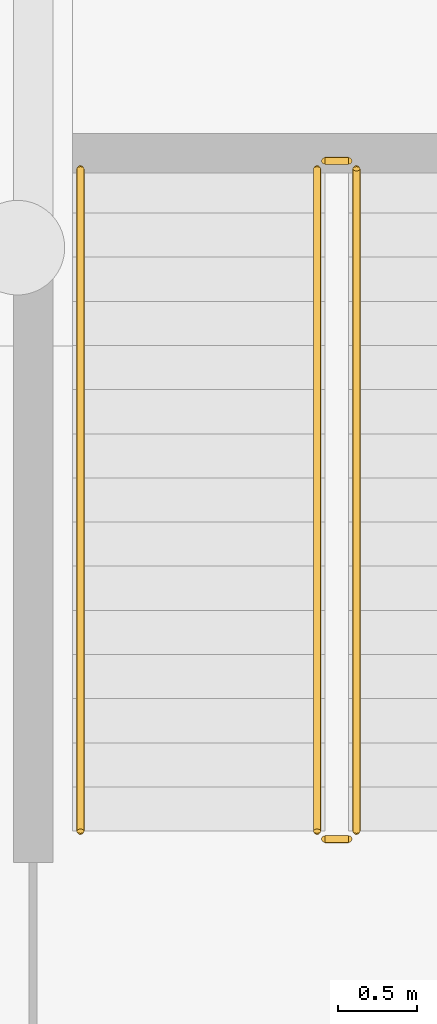
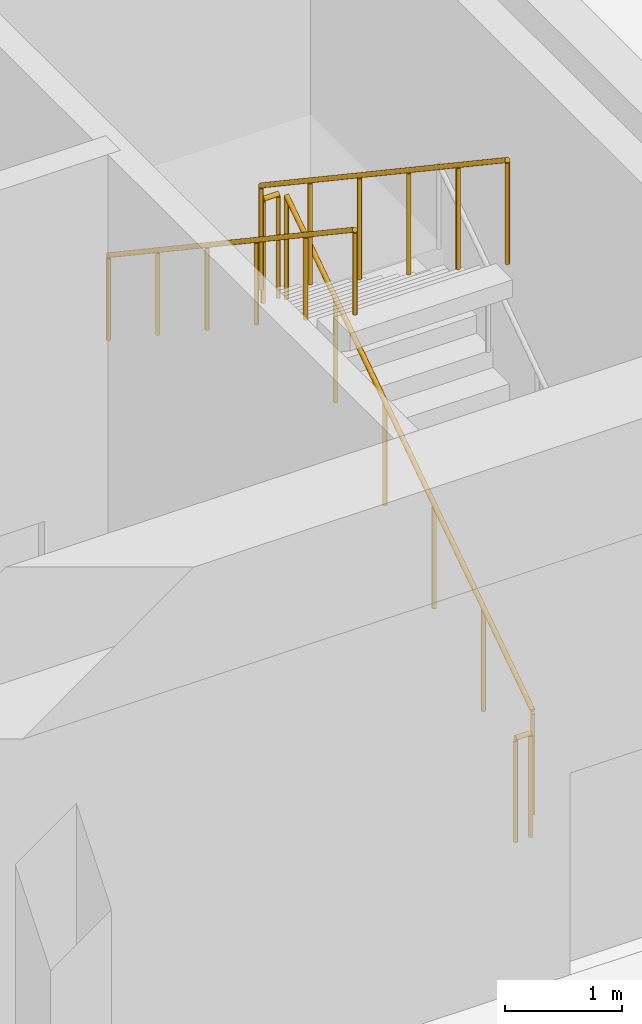
# One storey, part 178 of 210: 5 railings.
"""IFC4 building model written with IfcOpenShell, lengths in metres."""

import ifcopenshell
import ifcopenshell.guid

model = None  # the IFC model being written
_history = None  # IfcOwnerHistory: only IFC2X3 demands one
_inside = {}  # id of a spatial element -> (the spatial element, [elements in it])
_under = {}  # id of a project, library or spatial element -> (it, [spatial elements below it])
_declared = {}  # id of a project -> (the project, [libraries it declares])
_typed = {}  # id of a type object -> (the type object, [elements of that type])
_made_of = {}  # id of a material, layer set ... -> (it, [elements and type objects made of it])


def new_model(schema):
    """Start an empty IFC model of exactly this schema.

    Asked for "IFC4X3", IfcOpenShell would pick the latest addendum, in which some entities
    have other attributes; the version numbers below select the first issue.
    IFC2X3 requires an IfcOwnerHistory on every rooted entity: one is made here for all.
    """
    global model, _history
    if schema == "IFC4X3":
        model = ifcopenshell.file(schema_version=(4, 3, 0, 0))
    else:
        model = ifcopenshell.file(schema=schema)
    _inside.clear()
    _under.clear()
    _declared.clear()
    _typed.clear()
    _made_of.clear()
    _history = None
    if model.schema == "IFC2X3":
        org = make("IfcOrganization", Name="unknown")
        user = make(
            "IfcPersonAndOrganization",
            ThePerson=make("IfcPerson", FamilyName="unknown"),
            TheOrganization=org,
        )
        app = make(
            "IfcApplication",
            ApplicationDeveloper=org,
            Version="unknown",
            ApplicationFullName="unknown",
            ApplicationIdentifier="unknown",
        )
        _history = make(
            "IfcOwnerHistory",
            OwningUser=user,
            OwningApplication=app,
            ChangeAction="ADDED",
            CreationDate=0,
        )
    return model


def make(cls, **values):
    """One entity of the class cls with the attributes given. An attribute that is None is left unset."""
    return model.create_entity(
        cls, **{name: value for name, value in values.items() if value is not None}
    )


def rooted(cls, **values):
    """An entity with a GlobalId (a new one), such as an element, a storey or a relation."""
    return make(cls, GlobalId=ifcopenshell.guid.new(), OwnerHistory=_history, **values)


def si_unit(unit_type, name, prefix=None):
    """IfcSIUnit, for example si_unit("LENGTHUNIT", "METRE", prefix="MILLI")."""
    return make("IfcSIUnit", UnitType=unit_type, Prefix=prefix, Name=name)


def assignment(units):
    """IfcUnitAssignment: the units of a project."""
    return None if units is None else make("IfcUnitAssignment", Units=units)


def point(xyz):
    """IfcCartesianPoint."""
    return None if xyz is None else make("IfcCartesianPoint", Coordinates=xyz)


def direction(xyz):
    """IfcDirection."""
    return None if xyz is None else make("IfcDirection", DirectionRatios=xyz)


def frame(location, z_axis=None, x_axis=None):
    """IfcAxis2Placement3D, a coordinate frame: its origin and axes. An axis left out is left unset."""
    return make(
        "IfcAxis2Placement3D",
        Location=point(location),
        Axis=direction(z_axis),
        RefDirection=direction(x_axis),
    )


def frame_2d(location, x_axis=None):
    """IfcAxis2Placement2D, a coordinate frame in the plane: its origin and x axis."""
    return make(
        "IfcAxis2Placement2D", Location=point(location), RefDirection=direction(x_axis)
    )


def origin():
    """The frame at (0, 0, 0) with its axes left unset."""
    return frame((0.0, 0.0, 0.0))


def origin_2d():
    """The frame at (0, 0) in the plane with its x axis left unset."""
    return frame_2d((0.0, 0.0))


def place(relative_to, where):
    """IfcLocalPlacement: puts the frame where relative to a parent placement (None: the world)."""
    return make(
        "IfcLocalPlacement", PlacementRelTo=relative_to, RelativePlacement=where
    )


def context(
    kind, dimensions, precision=None, world=None, true_north=None, identifier=None
):
    """IfcGeometricRepresentationContext, for example the 3D "Model" context."""
    return make(
        "IfcGeometricRepresentationContext",
        ContextIdentifier=identifier,
        ContextType=kind,
        CoordinateSpaceDimension=dimensions,
        Precision=precision,
        WorldCoordinateSystem=world,
        TrueNorth=true_north,
    )


def subcontext(parent, identifier, kind, view, scale=None):
    """IfcGeometricRepresentationSubContext, for example "Body" below "Model"."""
    return make(
        "IfcGeometricRepresentationSubContext",
        ContextIdentifier=identifier,
        ContextType=kind,
        ParentContext=parent,
        TargetScale=scale,
        TargetView=view,
    )


def project(units=None, contexts=None):
    """IfcProject with its units and contexts."""
    return rooted(
        "IfcProject",
        Name="project",
        RepresentationContexts=contexts,
        UnitsInContext=assignment(units),
    )


def spatial(cls, under=None, at=None, **own):
    """A site, building, storey or space (cls), placed at a placement, below another one or the project."""
    s = rooted(cls, ObjectPlacement=at, **own)
    if under is not None:
        _under.setdefault(under.id(), (under, []))[1].append(s)
    return s


def profile(cls, at=None, kind="AREA", **sizes):
    """A parametric profile (cls). Its sizes go by their IFC names, for example OverallWidth=200.0."""
    return make(cls, ProfileType=kind, Position=at, **sizes)


def circle(**sizes):
    """IfcCircleProfileDef."""
    return profile("IfcCircleProfileDef", **sizes)


def extrude(swept, where, along, depth):
    """IfcExtrudedAreaSolid: the profile swept, set in the frame where, extruded along a direction by depth."""
    return make(
        "IfcExtrudedAreaSolid",
        SweptArea=swept,
        Position=where,
        ExtrudedDirection=direction(along),
        Depth=depth,
    )


def shape(context_of_items, identifier, shape_type, items):
    """IfcShapeRepresentation: the items that make up one representation, for example the "Body"."""
    return make(
        "IfcShapeRepresentation",
        ContextOfItems=context_of_items,
        RepresentationIdentifier=identifier,
        RepresentationType=shape_type,
        Items=items,
    )


def material(Name=None, Category=None):
    """IfcMaterial."""
    return make("IfcMaterial", Name=Name, Category=Category)


def made_of(thing, what):
    """Note that an element or type object is made of a material, layer set ...; save() writes the relation."""
    if what is not None:
        _made_of.setdefault(what.id(), (what, []))[1].append(thing)
    return thing


def type_object(cls, material=None, **own):
    """A type object (cls), such as IfcWallType, which elements share."""
    return made_of(rooted(cls, **own), material)


def element(
    cls,
    number,
    at=None,
    inside=None,
    cuts=None,
    type_object=None,
    material=None,
    context=None,
    identifier="Body",
    shape_type=None,
    held_by="IfcProductDefinitionShape",
    body=None,
    shapes=None,
    **own,
):
    """One element of the class cls, such as IfcWall. Its Tag is "e" and its number.

    at: its placement. inside: the storey or other place that contains it. cuts: it is an
    opening in that element (IfcRelVoidsElement). A single representation is given by context,
    identifier, shape_type and body (its items); several are given by shapes. held_by: the class
    of the entity that holds the representations. save() writes the other relations.
    """
    e = rooted(cls, Tag="e%d" % number, ObjectPlacement=at, **own)
    if body is not None:
        shapes = [shape(context, identifier, shape_type, body)]
    if shapes is not None:
        e.Representation = make(held_by, Representations=shapes)
    if inside is not None:
        _inside.setdefault(inside.id(), (inside, []))[1].append(e)
    if cuts is not None:
        rooted(
            "IfcRelVoidsElement", RelatingBuildingElement=cuts, RelatedOpeningElement=e
        )
    if type_object is not None:
        _typed.setdefault(type_object.id(), (type_object, []))[1].append(e)
    return made_of(e, material)


def aggregate(whole, parts):
    """IfcRelAggregates: a whole, such as a stair, and the parts it consists of."""
    return rooted("IfcRelAggregates", RelatingObject=whole, RelatedObjects=parts)


def save(model, path):
    """Write the relations noted so far, then the file.

    IfcRelAggregates (storeys below a building ...), IfcRelContainedInSpatialStructure (elements
    in a storey), IfcRelDefinesByType, IfcRelAssociatesMaterial and IfcRelDeclares: one each for
    every whole, place, type object, material and project.
    """
    for whole, parts in _under.values():
        aggregate(whole, parts)
    for where, things in _inside.values():
        rooted(
            "IfcRelContainedInSpatialStructure",
            RelatedElements=things,
            RelatingStructure=where,
        )
    for kind, things in _typed.values():
        rooted("IfcRelDefinesByType", RelatedObjects=things, RelatingType=kind)
    for what, things in _made_of.values():
        rooted("IfcRelAssociatesMaterial", RelatedObjects=things, RelatingMaterial=what)
    for by, libraries in _declared.values():
        rooted("IfcRelDeclares", RelatingContext=by, RelatedDefinitions=libraries)
    model.write(path)


model = new_model("IFC4")

# Units and contexts
model_context = context("Model", 3, precision=1e-05, world=origin(), true_north=direction((0.0, 1.0)))
body_context = subcontext(model_context, "Body", "Model", "MODEL_VIEW")
ifc_project = project(units=[si_unit("LENGTHUNIT", "METRE"), si_unit("AREAUNIT", "SQUARE_METRE"), si_unit("VOLUMEUNIT", "CUBIC_METRE"), si_unit("PLANEANGLEUNIT", "RADIAN"), si_unit("MASSUNIT", "GRAM", prefix="KILO")], contexts=[model_context])

# Site, building, storey
site_placement = place(None, origin())
site = spatial("IfcSite", under=ifc_project, at=site_placement, CompositionType="ELEMENT")
building_placement = place(site_placement, origin())
building = spatial("IfcBuilding", under=site, at=building_placement, Name="Rain Tree Exposition and Congress Centre", CompositionType="ELEMENT")
storey_placement = place(building_placement, origin())
storey = spatial("IfcBuildingStorey", under=building, at=storey_placement, Name="L00", CompositionType="ELEMENT", Elevation=0.0)

# Railings
ifc_material_1 = material(Name="Steel S355J2H", Category="steel")
railing_type_1 = type_object("IfcRailingType", Name="Stair guard 1100", PredefinedType="GUARDRAIL", material=ifc_material_1)
railing_1_placement = place(storey_placement, frame((123.949951171875, 102.60009765625, 0.1875)))
element("IfcRailing", 1, at=railing_1_placement, inside=storey, type_object=railing_type_1, Name="L00 ST-H2 stair guard 1", PredefinedType="GUARDRAIL", context=body_context, shape_type="SweptSolid", body=[
    extrude(circle(Radius=0.02392578125, at=origin_2d()), frame((0.0, 0.0, 1.076171875), z_axis=(0.0, 0.830904186295, 0.556415522067), x_axis=(-1.0, 0.0, 0.0)), (0.0, 0.0, 1.0), 5.0546875),
    extrude(circle(Radius=0.02099609375, at=origin_2d()), origin(), (0.0, 0.0, 1.0), 1.052001953125),
    extrude(circle(Radius=0.02099609375, at=origin_2d()), frame((0.0, 0.840087890625, 0.5625)), (0.0, 0.0, 1.0), 1.052001953125),
    extrude(circle(Radius=0.02099609375, at=origin_2d()), frame((0.0, 1.679931640625, 1.125)), (0.0, 0.0, 1.0), 1.052001953125),
    extrude(circle(Radius=0.02099609375, at=origin_2d()), frame((0.0, 2.52001953125, 1.6875)), (0.0, 0.0, 1.0), 1.052001953125),
    extrude(circle(Radius=0.02099609375, at=origin_2d()), frame((0.0, 3.35986328125, 2.25)), (0.0, 0.0, 1.0), 1.052001953125),
    extrude(circle(Radius=0.02099609375, at=origin_2d()), frame((0.0, 4.199951171875, 2.8125)), (0.0, 0.0, 1.0), 1.052001953125),
])
railing_2_placement = place(storey_placement, frame((123.89990234375, 106.85009765625, 3.0)))
element("IfcRailing", 2, at=railing_2_placement, inside=storey, type_object=railing_type_1, Name="L00 ST-H2 stair guard 2", PredefinedType="GUARDRAIL", context=body_context, shape_type="SweptSolid", body=[
    extrude(circle(Radius=0.02392578125, at=origin_2d()), frame((0.0, 0.0, 1.076171875), z_axis=(-1.0, 0.0, 0.0), x_axis=(0.0, -1.0, 0.0)), (0.0, 0.0, 1.0), 0.14990234375),
    extrude(circle(Radius=0.02099609375, at=origin_2d()), origin(), (0.0, 0.0, 1.0), 1.052001953125),
    extrude(circle(Radius=0.02099609375, at=origin_2d()), frame((-0.14990234375, 0.0, 0.0)), (0.0, 0.0, 1.0), 1.052001953125),
])
railing_3_placement = place(storey_placement, frame((123.699951171875, 106.800048828125, 3.1875)))
element("IfcRailing", 3, at=railing_3_placement, inside=storey, type_object=railing_type_1, Name="L00 ST-H2 stair guard 3", PredefinedType="GUARDRAIL", context=body_context, shape_type="SweptSolid", body=[
    extrude(circle(Radius=0.02392578125, at=origin_2d()), frame((0.0, 0.0, 1.076171875), z_axis=(0.0, -0.830904186295, 0.556415522067), x_axis=(1.0, 0.0, 0.0)), (0.0, 0.0, 1.0), 5.0546875),
    extrude(circle(Radius=0.02099609375, at=origin_2d()), origin(), (0.0, 0.0, 1.0), 1.052001953125),
    extrude(circle(Radius=0.02099609375, at=origin_2d()), frame((0.0, -0.840087890625, 0.5625)), (0.0, 0.0, 1.0), 1.052001953125),
    extrude(circle(Radius=0.02099609375, at=origin_2d()), frame((0.0, -1.679931640625, 1.125)), (0.0, 0.0, 1.0), 1.052001953125),
    extrude(circle(Radius=0.02099609375, at=origin_2d()), frame((0.0, -2.52001953125, 1.6875)), (0.0, 0.0, 1.0), 1.052001953125),
    extrude(circle(Radius=0.02099609375, at=origin_2d()), frame((0.0, -3.35986328125, 2.25)), (0.0, 0.0, 1.0), 1.052001953125),
    extrude(circle(Radius=0.02099609375, at=origin_2d()), frame((0.0, -4.199951171875, 2.8125)), (0.0, 0.0, 1.0), 1.052001953125),
])
railing_4_placement = place(storey_placement, frame((123.89990234375, 102.550048828125, 0.0)))
element("IfcRailing", 4, at=railing_4_placement, inside=storey, type_object=railing_type_1, Name="L00 ST-H2 stair guard 4", PredefinedType="GUARDRAIL", context=body_context, shape_type="SweptSolid", body=[
    extrude(circle(Radius=0.02392578125, at=origin_2d()), frame((0.0, 0.0, 1.076171875), z_axis=(-1.0, 0.0, 0.0), x_axis=(0.0, -1.0, 0.0)), (0.0, 0.0, 1.0), 0.14990234375),
    extrude(circle(Radius=0.02099609375, at=origin_2d()), origin(), (0.0, 0.0, 1.0), 1.052001953125),
    extrude(circle(Radius=0.02099609375, at=origin_2d()), frame((-0.14990234375, 0.0, 0.0)), (0.0, 0.0, 1.0), 1.052001953125),
])
ifc_material_2 = material(Name="Steel S355J2H", Category="steel")
railing_type_2 = type_object("IfcRailingType", Name="Stair handrail 900", PredefinedType="HANDRAIL", material=ifc_material_2)
railing_5_placement = place(storey_placement, frame((122.199951171875, 106.800048828125, 3.1875)))
element("IfcRailing", 5, at=railing_5_placement, inside=storey, type_object=railing_type_2, Name="L00 ST-H2 stair handrail 2", PredefinedType="HANDRAIL", context=body_context, shape_type="SweptSolid", body=[
    extrude(circle(Radius=0.02392578125, at=origin_2d()), frame((0.0, 0.0, 0.8759765625), z_axis=(0.0, -0.830904186295, 0.556415522067), x_axis=(1.0, 0.0, 0.0)), (0.0, 0.0, 1.0), 5.0546875),
    extrude(circle(Radius=0.02099609375, at=origin_2d()), origin(), (0.0, 0.0, 1.0), 0.851806640625),
    extrude(circle(Radius=0.02099609375, at=origin_2d()), frame((0.0, -0.840087890625, 0.5625)), (0.0, 0.0, 1.0), 0.851806640625),
    extrude(circle(Radius=0.02099609375, at=origin_2d()), frame((0.0, -1.679931640625, 1.125)), (0.0, 0.0, 1.0), 0.851806640625),
    extrude(circle(Radius=0.02099609375, at=origin_2d()), frame((0.0, -2.52001953125, 1.6875)), (0.0, 0.0, 1.0), 0.851806640625),
    extrude(circle(Radius=0.02099609375, at=origin_2d()), frame((0.0, -3.35986328125, 2.25)), (0.0, 0.0, 1.0), 0.851806640625),
    extrude(circle(Radius=0.02099609375, at=origin_2d()), frame((0.0, -4.199951171875, 2.8125)), (0.0, 0.0, 1.0), 0.851806640625),
])

save(model, "model.ifc")
